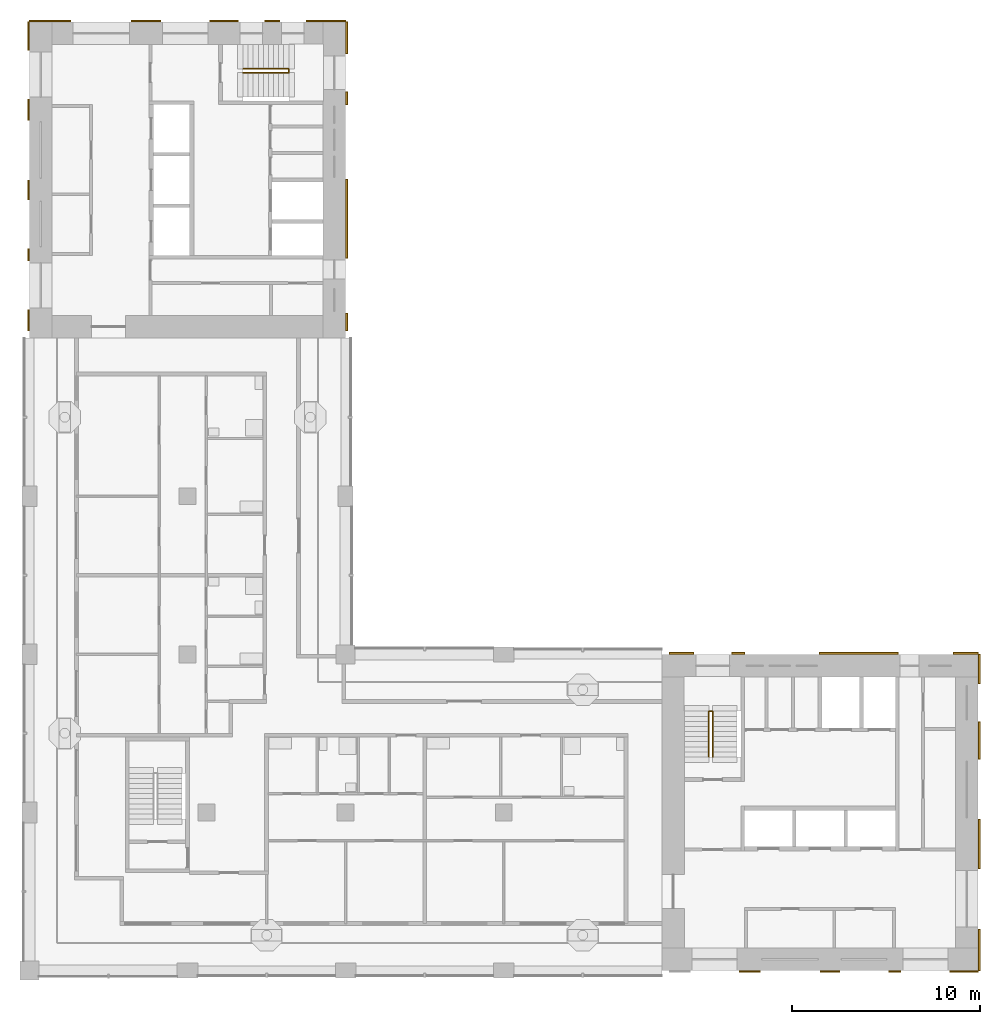
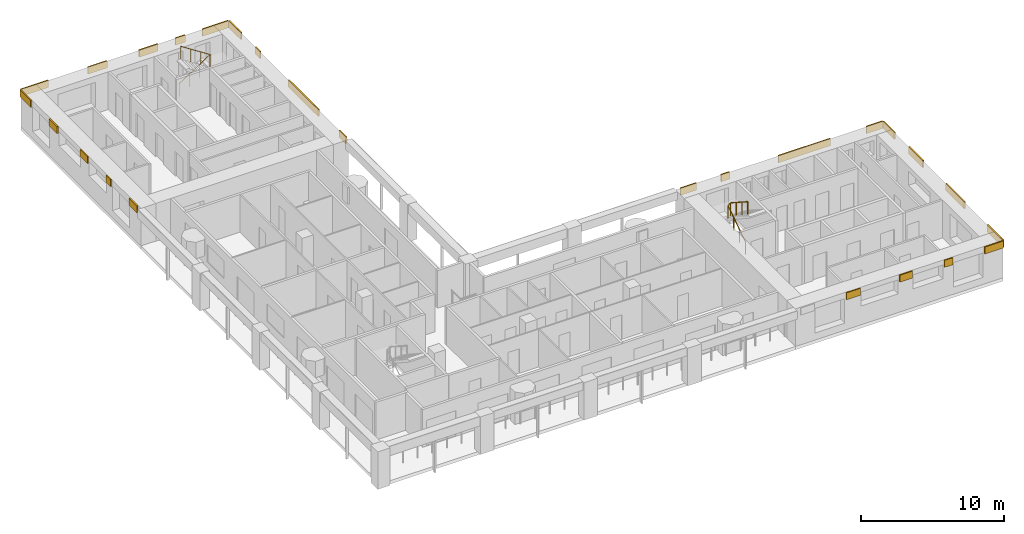
# One storey, part 9 of 12: 26 shading devices, 2 railings.
"""IFC4 building model written with IfcOpenShell, lengths in metres."""

from ifc_helpers import new_model, si_unit, direction, frame, origin, origin_2d, place, context, subcontext, project, spatial, rectangle, circle, extrude, material, layer, layer_set, type_object, element, save


model = new_model("IFC4")

# Units and contexts
model_context = context("Model", 3, precision=1e-05, world=origin(), true_north=direction((0.0, 1.0)))
body_context = subcontext(model_context, "Body", "Model", "MODEL_VIEW")
ifc_project = project(units=[si_unit("LENGTHUNIT", "METRE"), si_unit("AREAUNIT", "SQUARE_METRE"), si_unit("VOLUMEUNIT", "CUBIC_METRE"), si_unit("PLANEANGLEUNIT", "RADIAN"), si_unit("MASSUNIT", "GRAM", prefix="KILO")], contexts=[model_context])

# Site, building, storey
site_placement = place(None, origin())
site = spatial("IfcSite", under=ifc_project, at=site_placement, CompositionType="ELEMENT")
building_placement = place(site_placement, origin())
building = spatial("IfcBuilding", under=site, at=building_placement, Name="Vermilion Gate Residences", CompositionType="ELEMENT")
storey_placement = place(building_placement, frame((0.0, 0.0, 217.699951171875)))
storey = spatial("IfcBuildingStorey", under=building, at=storey_placement, Name="L56", CompositionType="ELEMENT", Elevation=217.699951171875)

# Railings
ifc_material_1 = material(Name="Steel S355", Category="steel")
railing_type = type_object("IfcRailingType", Name="STAIR GUARD 1100 STEEL", PredefinedType="GUARDRAIL", material=ifc_material_1)
railing_1_placement = place(storey_placement, frame((44.5, 19.75, 0.175048828125)))
element("IfcRailing", 1, at=railing_1_placement, inside=storey, type_object=railing_type, Name="Stair well guard STA1-56", PredefinedType="GUARDRAIL", context=body_context, shape_type="SweptSolid", body=[
    extrude(circle(Radius=0.02392578125, at=origin_2d()), frame((0.0, 0.0, 1.076171875), z_axis=(0.0, 0.839153699163, 0.543894354798), x_axis=(-1.0, 0.0, 0.0)), (0.0, 0.0, 1.0), 2.895751953125),
    extrude(circle(Radius=0.02392578125, at=origin_2d()), frame((0.0, 2.429931640625, 2.65087890625), z_axis=(0.752405939678, 0.0, 0.658699705433), x_axis=(0.0, 1.0, 0.0)), (0.0, 0.0, 1.0), 0.265869140625),
    extrude(circle(Radius=0.02392578125, at=origin_2d()), frame((0.199951171875, 2.429931640625, 2.826171875), z_axis=(0.0, -0.839153699163, 0.543894354798), x_axis=(1.0, 0.0, 0.0)), (0.0, 0.0, 1.0), 2.895751953125),
    extrude(circle(Radius=0.02099609375, at=origin_2d()), origin(), (0.0, 0.0, 1.0), 1.052001953125),
    extrude(circle(Radius=0.02099609375, at=origin_2d()), frame((0.0, 0.81005859375, 0.52490234375)), (0.0, 0.0, 1.0), 1.052001953125),
    extrude(circle(Radius=0.02099609375, at=origin_2d()), frame((0.0, 1.619873046875, 1.050048828125)), (0.0, 0.0, 1.0), 1.052001953125),
    extrude(circle(Radius=0.02099609375, at=origin_2d()), frame((0.0, 2.429931640625, 1.574951171875)), (0.0, 0.0, 1.0), 1.052001953125),
    extrude(circle(Radius=0.02099609375, at=origin_2d()), frame((0.199951171875, 2.429931640625, 1.75)), (0.0, 0.0, 1.0), 1.052001953125),
    extrude(circle(Radius=0.02099609375, at=origin_2d()), frame((0.199951171875, 1.619873046875, 2.27490234375)), (0.0, 0.0, 1.0), 1.052001953125),
    extrude(circle(Radius=0.02099609375, at=origin_2d()), frame((0.199951171875, 0.81005859375, 2.800048828125)), (0.0, 0.0, 1.0), 1.052001953125),
    extrude(circle(Radius=0.02099609375, at=origin_2d()), frame((0.199951171875, 0.0, 3.324951171875)), (0.0, 0.0, 1.0), 1.052001953125),
])
railing_2_placement = place(storey_placement, frame((19.75, 56.300048828125, 0.175048828125)))
element("IfcRailing", 2, at=railing_2_placement, inside=storey, type_object=railing_type, Name="Stair well guard STB1-56", PredefinedType="GUARDRAIL", context=body_context, shape_type="SweptSolid", body=[
    extrude(circle(Radius=0.02392578125, at=origin_2d()), frame((0.0, 0.0, 1.076171875), z_axis=(0.839153699163, 0.0, 0.543894354798), x_axis=(0.0, 1.0, 0.0)), (0.0, 0.0, 1.0), 2.895751953125),
    extrude(circle(Radius=0.02392578125, at=origin_2d()), frame((2.429931640625, 0.0, 2.65087890625), z_axis=(0.0, -0.752405939678, 0.658699705433), x_axis=(1.0, 0.0, 0.0)), (0.0, 0.0, 1.0), 0.265869140625),
    extrude(circle(Radius=0.02392578125, at=origin_2d()), frame((2.429931640625, -0.199951171875, 2.826171875), z_axis=(-0.839153699163, 0.0, 0.543894354798), x_axis=(0.0, -1.0, 0.0)), (0.0, 0.0, 1.0), 2.895751953125),
    extrude(circle(Radius=0.02099609375, at=origin_2d()), origin(), (0.0, 0.0, 1.0), 1.052001953125),
    extrude(circle(Radius=0.02099609375, at=origin_2d()), frame((0.81005859375, 0.0, 0.52490234375)), (0.0, 0.0, 1.0), 1.052001953125),
    extrude(circle(Radius=0.02099609375, at=origin_2d()), frame((1.619873046875, 0.0, 1.050048828125)), (0.0, 0.0, 1.0), 1.052001953125),
    extrude(circle(Radius=0.02099609375, at=origin_2d()), frame((2.429931640625, 0.0, 1.574951171875)), (0.0, 0.0, 1.0), 1.052001953125),
    extrude(circle(Radius=0.02099609375, at=origin_2d()), frame((2.429931640625, -0.199951171875, 1.75)), (0.0, 0.0, 1.0), 1.052001953125),
    extrude(circle(Radius=0.02099609375, at=origin_2d()), frame((1.619873046875, -0.199951171875, 2.27490234375)), (0.0, 0.0, 1.0), 1.052001953125),
    extrude(circle(Radius=0.02099609375, at=origin_2d()), frame((0.81005859375, -0.199951171875, 2.800048828125)), (0.0, 0.0, 1.0), 1.052001953125),
    extrude(circle(Radius=0.02099609375, at=origin_2d()), frame((0.0, -0.199951171875, 3.324951171875)), (0.0, 0.0, 1.0), 1.052001953125),
])

# Shading devices
ifc_material_2 = material(Name="Extruded terracotta", Category="masonry")
ifc_layer = layer(ifc_material_2, 0.10009765625)
ifc_layer_set = layer_set([ifc_layer], Name="TERRACOTTA SPANDREL BAND 600 X 100")
shading_device_type = type_object("IfcShadingDeviceType", Name="TERRACOTTA SPANDREL BAND 600 X 100", PredefinedType="USERDEFINED", material=ifc_layer_set)
shading_device_1_placement = place(storey_placement, frame((46.657470703125, 8.35009765625, 2.6201171875), z_axis=(0.0, 0.0, 1.0), x_axis=(1.0, 0.0, 0.0)))
element("IfcShadingDevice", 3, at=shading_device_1_placement, inside=storey, type_object=shading_device_type, Name="SPANDREL BAND", ObjectType="BAND", PredefinedType="USERDEFINED", context=body_context, shape_type="SweptSolid", body=[
    extrude(rectangle(XDim=1.114990234375, YDim=0.10009765625, at=origin_2d()), origin(), (0.0, 0.0, 1.0), 0.60009765625),
])
shading_device_2_placement = place(storey_placement, frame((50.927490234375, 8.35009765625, 2.6201171875), z_axis=(0.0, 0.0, 1.0), x_axis=(1.0, 0.0, 0.0)))
element("IfcShadingDevice", 4, at=shading_device_2_placement, inside=storey, type_object=shading_device_type, Name="SPANDREL BAND", ObjectType="BAND", PredefinedType="USERDEFINED", context=body_context, shape_type="SweptSolid", body=[
    extrude(rectangle(XDim=1.02490234375, YDim=0.10009765625, at=origin_2d()), origin(), (0.0, 0.0, 1.0), 0.60009765625),
])
shading_device_3_placement = place(storey_placement, frame((54.3701171875, 8.35009765625, 2.6201171875), z_axis=(0.0, 0.0, 1.0), x_axis=(1.0, 0.0, 0.0)))
element("IfcShadingDevice", 5, at=shading_device_3_placement, inside=storey, type_object=shading_device_type, Name="SPANDREL BAND", ObjectType="BAND", PredefinedType="USERDEFINED", context=body_context, shape_type="SweptSolid", body=[
    extrude(rectangle(XDim=0.659912109375, YDim=0.10009765625, at=origin_2d()), origin(), (0.0, 0.0, 1.0), 0.60009765625),
])
shading_device_4_placement = place(storey_placement, frame((58.050048828125, 8.35009765625, 2.6201171875), z_axis=(0.0, 0.0, 1.0), x_axis=(1.0, 0.0, 0.0)))
element("IfcShadingDevice", 6, at=shading_device_4_placement, inside=storey, type_object=shading_device_type, Name="SPANDREL BAND", ObjectType="BAND", PredefinedType="USERDEFINED", context=body_context, shape_type="SweptSolid", body=[
    extrude(rectangle(XDim=1.5, YDim=0.10009765625, at=origin_2d()), origin(), (0.0, 0.0, 1.0), 0.60009765625),
])
shading_device_5_placement = place(storey_placement, frame((43.050048828125, 25.25, 2.6201171875), z_axis=(0.0, 0.0, 1.0), x_axis=(1.0, 0.0, 0.0)))
element("IfcShadingDevice", 7, at=shading_device_5_placement, inside=storey, type_object=shading_device_type, Name="SPANDREL BAND", ObjectType="BAND", PredefinedType="USERDEFINED", context=body_context, shape_type="SweptSolid", body=[
    extrude(rectangle(XDim=1.300048828125, YDim=0.10009765625, at=origin_2d()), origin(), (0.0, 0.0, 1.0), 0.60009765625),
])
shading_device_6_placement = place(storey_placement, frame((46.044921875, 25.25, 2.6201171875), z_axis=(0.0, 0.0, 1.0), x_axis=(1.0, 0.0, 0.0)))
element("IfcShadingDevice", 8, at=shading_device_6_placement, inside=storey, type_object=shading_device_type, Name="SPANDREL BAND", ObjectType="BAND", PredefinedType="USERDEFINED", context=body_context, shape_type="SweptSolid", body=[
    extrude(rectangle(XDim=0.68994140625, YDim=0.10009765625, at=origin_2d()), origin(), (0.0, 0.0, 1.0), 0.60009765625),
])
shading_device_7_placement = place(storey_placement, frame((52.449951171875, 25.25, 2.6201171875), z_axis=(0.0, 0.0, 1.0), x_axis=(1.0, 0.0, 0.0)))
element("IfcShadingDevice", 9, at=shading_device_7_placement, inside=storey, type_object=shading_device_type, Name="SPANDREL BAND", ObjectType="BAND", PredefinedType="USERDEFINED", context=body_context, shape_type="SweptSolid", body=[
    extrude(rectangle(XDim=4.199951171875, YDim=0.10009765625, at=origin_2d()), origin(), (0.0, 0.0, 1.0), 0.60009765625),
])
shading_device_8_placement = place(storey_placement, frame((58.137451171875, 25.25, 2.6201171875), z_axis=(0.0, 0.0, 1.0), x_axis=(1.0, 0.0, 0.0)))
element("IfcShadingDevice", 10, at=shading_device_8_placement, inside=storey, type_object=shading_device_type, Name="SPANDREL BAND", ObjectType="BAND", PredefinedType="USERDEFINED", context=body_context, shape_type="SweptSolid", body=[
    extrude(rectangle(XDim=1.324951171875, YDim=0.10009765625, at=origin_2d()), origin(), (0.0, 0.0, 1.0), 0.60009765625),
])
shading_device_9_placement = place(storey_placement, frame((58.85009765625, 9.50244140625, 2.6201171875), z_axis=(0.0, 0.0, 1.0), x_axis=(0.0, 1.0, 0.0)))
element("IfcShadingDevice", 11, at=shading_device_9_placement, inside=storey, type_object=shading_device_type, Name="SPANDREL BAND", ObjectType="BAND", PredefinedType="USERDEFINED", context=body_context, shape_type="SweptSolid", body=[
    extrude(rectangle(XDim=2.205078125, YDim=0.10009765625, at=origin_2d()), origin(), (0.0, 0.0, 1.0), 0.60009765625),
])
shading_device_10_placement = place(storey_placement, frame((58.85009765625, 15.118896484375, 2.6201171875), z_axis=(0.0, 0.0, 1.0), x_axis=(0.0, 1.0, 0.0)))
element("IfcShadingDevice", 12, at=shading_device_10_placement, inside=storey, type_object=shading_device_type, Name="SPANDREL BAND", ObjectType="BAND", PredefinedType="USERDEFINED", context=body_context, shape_type="SweptSolid", body=[
    extrude(rectangle(XDim=2.62744140625, YDim=0.10009765625, at=origin_2d()), origin(), (0.0, 0.0, 1.0), 0.60009765625),
])
shading_device_11_placement = place(storey_placement, frame((58.85009765625, 20.6298828125, 2.6201171875), z_axis=(0.0, 0.0, 1.0), x_axis=(0.0, 1.0, 0.0)))
element("IfcShadingDevice", 13, at=shading_device_11_placement, inside=storey, type_object=shading_device_type, Name="SPANDREL BAND", ObjectType="BAND", PredefinedType="USERDEFINED", context=body_context, shape_type="SweptSolid", body=[
    extrude(rectangle(XDim=1.9951171875, YDim=0.10009765625, at=origin_2d()), origin(), (0.0, 0.0, 1.0), 0.60009765625),
])
shading_device_12_placement = place(storey_placement, frame((58.85009765625, 24.413818359375, 2.6201171875), z_axis=(0.0, 0.0, 1.0), x_axis=(0.0, 1.0, 0.0)))
element("IfcShadingDevice", 14, at=shading_device_12_placement, inside=storey, type_object=shading_device_type, Name="SPANDREL BAND", ObjectType="BAND", PredefinedType="USERDEFINED", context=body_context, shape_type="SweptSolid", body=[
    extrude(rectangle(XDim=1.572509765625, YDim=0.10009765625, at=origin_2d()), origin(), (0.0, 0.0, 1.0), 0.60009765625),
])
shading_device_13_placement = place(storey_placement, frame((9.50244140625, 58.85009765625, 2.6201171875), z_axis=(0.0, 0.0, 1.0), x_axis=(1.0, 0.0, 0.0)))
element("IfcShadingDevice", 15, at=shading_device_13_placement, inside=storey, type_object=shading_device_type, Name="SPANDREL BAND", ObjectType="BAND", PredefinedType="USERDEFINED", context=body_context, shape_type="SweptSolid", body=[
    extrude(rectangle(XDim=2.205078125, YDim=0.10009765625, at=origin_2d()), origin(), (0.0, 0.0, 1.0), 0.60009765625),
])
shading_device_14_placement = place(storey_placement, frame((14.590087890625, 58.85009765625, 2.6201171875), z_axis=(0.0, 0.0, 1.0), x_axis=(1.0, 0.0, 0.0)))
element("IfcShadingDevice", 16, at=shading_device_14_placement, inside=storey, type_object=shading_device_type, Name="SPANDREL BAND", ObjectType="BAND", PredefinedType="USERDEFINED", context=body_context, shape_type="SweptSolid", body=[
    extrude(rectangle(XDim=1.570068359375, YDim=0.10009765625, at=origin_2d()), origin(), (0.0, 0.0, 1.0), 0.60009765625),
])
shading_device_15_placement = place(storey_placement, frame((18.734130859375, 58.85009765625, 2.6201171875), z_axis=(0.0, 0.0, 1.0), x_axis=(1.0, 0.0, 0.0)))
element("IfcShadingDevice", 17, at=shading_device_15_placement, inside=storey, type_object=shading_device_type, Name="SPANDREL BAND", ObjectType="BAND", PredefinedType="USERDEFINED", context=body_context, shape_type="SweptSolid", body=[
    extrude(rectangle(XDim=1.518310546875, YDim=0.10009765625, at=origin_2d()), origin(), (0.0, 0.0, 1.0), 0.60009765625),
])
shading_device_16_placement = place(storey_placement, frame((21.294921875, 58.85009765625, 2.6201171875), z_axis=(0.0, 0.0, 1.0), x_axis=(1.0, 0.0, 0.0)))
element("IfcShadingDevice", 18, at=shading_device_16_placement, inside=storey, type_object=shading_device_type, Name="SPANDREL BAND", ObjectType="BAND", PredefinedType="USERDEFINED", context=body_context, shape_type="SweptSolid", body=[
    extrude(rectangle(XDim=0.803466796875, YDim=0.10009765625, at=origin_2d()), origin(), (0.0, 0.0, 1.0), 0.60009765625),
])
shading_device_17_placement = place(storey_placement, frame((24.1484375, 58.85009765625, 2.6201171875), z_axis=(0.0, 0.0, 1.0), x_axis=(1.0, 0.0, 0.0)))
element("IfcShadingDevice", 19, at=shading_device_17_placement, inside=storey, type_object=shading_device_type, Name="SPANDREL BAND", ObjectType="BAND", PredefinedType="USERDEFINED", context=body_context, shape_type="SweptSolid", body=[
    extrude(rectangle(XDim=2.103271484375, YDim=0.10009765625, at=origin_2d()), origin(), (0.0, 0.0, 1.0), 0.60009765625),
])
shading_device_18_placement = place(storey_placement, frame((8.35009765625, 42.949951171875, 2.6201171875), z_axis=(0.0, 0.0, 1.0), x_axis=(0.0, 1.0, 0.0)))
element("IfcShadingDevice", 20, at=shading_device_18_placement, inside=storey, type_object=shading_device_type, Name="SPANDREL BAND", ObjectType="BAND", PredefinedType="USERDEFINED", context=body_context, shape_type="SweptSolid", body=[
    extrude(rectangle(XDim=1.10009765625, YDim=0.10009765625, at=origin_2d()), origin(), (0.0, 0.0, 1.0), 0.60009765625),
])
shading_device_19_placement = place(storey_placement, frame((8.35009765625, 46.429931640625, 2.6201171875), z_axis=(0.0, 0.0, 1.0), x_axis=(0.0, 1.0, 0.0)))
element("IfcShadingDevice", 21, at=shading_device_19_placement, inside=storey, type_object=shading_device_type, Name="SPANDREL BAND", ObjectType="BAND", PredefinedType="USERDEFINED", context=body_context, shape_type="SweptSolid", body=[
    extrude(rectangle(XDim=0.659912109375, YDim=0.10009765625, at=origin_2d()), origin(), (0.0, 0.0, 1.0), 0.60009765625),
])
shading_device_20_placement = place(storey_placement, frame((8.35009765625, 49.87255859375, 2.6201171875), z_axis=(0.0, 0.0, 1.0), x_axis=(0.0, 1.0, 0.0)))
element("IfcShadingDevice", 22, at=shading_device_20_placement, inside=storey, type_object=shading_device_type, Name="SPANDREL BAND", ObjectType="BAND", PredefinedType="USERDEFINED", context=body_context, shape_type="SweptSolid", body=[
    extrude(rectangle(XDim=1.02490234375, YDim=0.10009765625, at=origin_2d()), origin(), (0.0, 0.0, 1.0), 0.60009765625),
])
shading_device_21_placement = place(storey_placement, frame((8.35009765625, 54.142578125, 2.6201171875), z_axis=(0.0, 0.0, 1.0), x_axis=(0.0, 1.0, 0.0)))
element("IfcShadingDevice", 23, at=shading_device_21_placement, inside=storey, type_object=shading_device_type, Name="SPANDREL BAND", ObjectType="BAND", PredefinedType="USERDEFINED", context=body_context, shape_type="SweptSolid", body=[
    extrude(rectangle(XDim=1.114990234375, YDim=0.10009765625, at=origin_2d()), origin(), (0.0, 0.0, 1.0), 0.60009765625),
])
shading_device_22_placement = place(storey_placement, frame((8.35009765625, 58.050048828125, 2.6201171875), z_axis=(0.0, 0.0, 1.0), x_axis=(0.0, 1.0, 0.0)))
element("IfcShadingDevice", 24, at=shading_device_22_placement, inside=storey, type_object=shading_device_type, Name="SPANDREL BAND", ObjectType="BAND", PredefinedType="USERDEFINED", context=body_context, shape_type="SweptSolid", body=[
    extrude(rectangle(XDim=1.5, YDim=0.10009765625, at=origin_2d()), origin(), (0.0, 0.0, 1.0), 0.60009765625),
])
shading_device_23_placement = place(storey_placement, frame((25.25, 42.862548828125, 2.6201171875), z_axis=(0.0, 0.0, 1.0), x_axis=(0.0, 1.0, 0.0)))
element("IfcShadingDevice", 25, at=shading_device_23_placement, inside=storey, type_object=shading_device_type, Name="SPANDREL BAND", ObjectType="BAND", PredefinedType="USERDEFINED", context=body_context, shape_type="SweptSolid", body=[
    extrude(rectangle(XDim=0.925048828125, YDim=0.10009765625, at=origin_2d()), origin(), (0.0, 0.0, 1.0), 0.60009765625),
])
shading_device_24_placement = place(storey_placement, frame((25.25, 48.35009765625, 2.6201171875), z_axis=(0.0, 0.0, 1.0), x_axis=(0.0, 1.0, 0.0)))
element("IfcShadingDevice", 26, at=shading_device_24_placement, inside=storey, type_object=shading_device_type, Name="SPANDREL BAND", ObjectType="BAND", PredefinedType="USERDEFINED", context=body_context, shape_type="SweptSolid", body=[
    extrude(rectangle(XDim=4.199951171875, YDim=0.10009765625, at=origin_2d()), origin(), (0.0, 0.0, 1.0), 0.60009765625),
])
shading_device_25_placement = place(storey_placement, frame((25.25, 54.7548828125, 2.6201171875), z_axis=(0.0, 0.0, 1.0), x_axis=(0.0, 1.0, 0.0)))
element("IfcShadingDevice", 27, at=shading_device_25_placement, inside=storey, type_object=shading_device_type, Name="SPANDREL BAND", ObjectType="BAND", PredefinedType="USERDEFINED", context=body_context, shape_type="SweptSolid", body=[
    extrude(rectangle(XDim=0.68994140625, YDim=0.10009765625, at=origin_2d()), origin(), (0.0, 0.0, 1.0), 0.60009765625),
])
shading_device_26_placement = place(storey_placement, frame((25.25, 57.949951171875, 2.6201171875), z_axis=(0.0, 0.0, 1.0), x_axis=(0.0, 1.0, 0.0)))
element("IfcShadingDevice", 28, at=shading_device_26_placement, inside=storey, type_object=shading_device_type, Name="SPANDREL BAND", ObjectType="BAND", PredefinedType="USERDEFINED", context=body_context, shape_type="SweptSolid", body=[
    extrude(rectangle(XDim=1.699951171875, YDim=0.10009765625, at=origin_2d()), origin(), (0.0, 0.0, 1.0), 0.60009765625),
])

save(model, "model.ifc")
